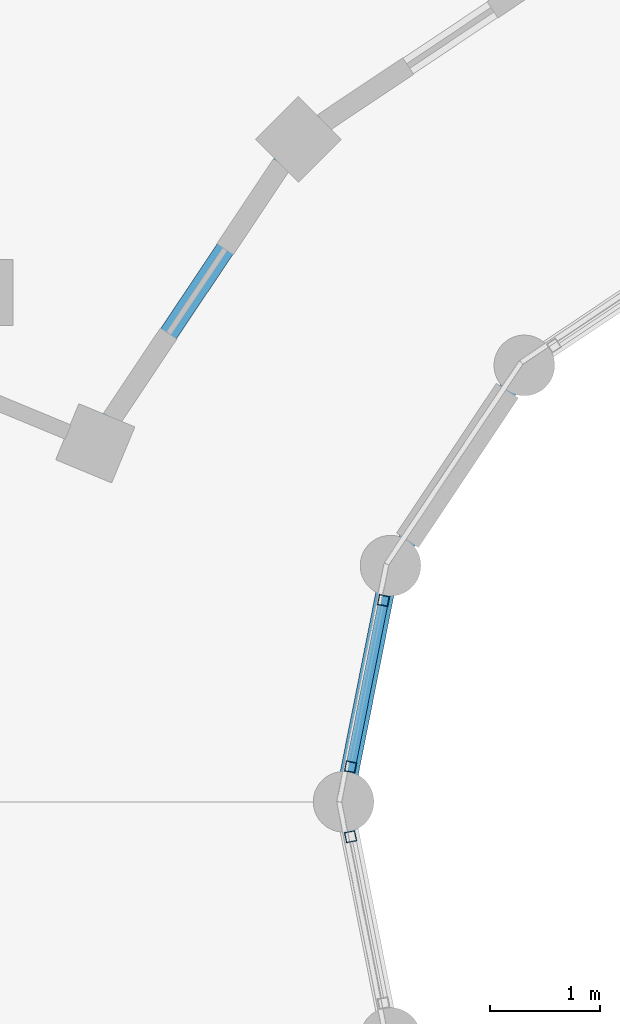
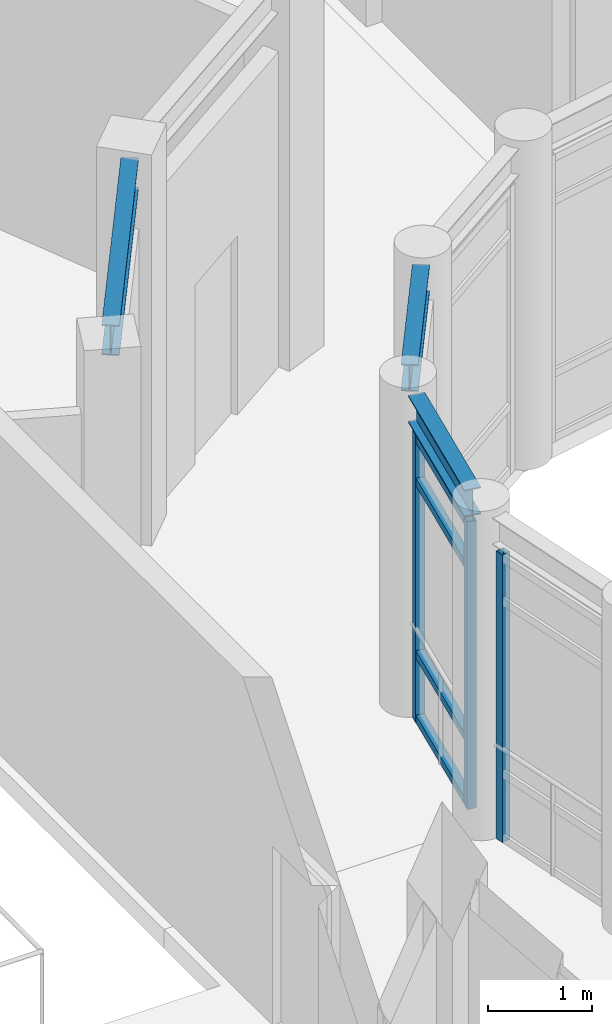
# One storey, part 13 of 149: 7 members, 3 beams, 2 elements without a shape of their own.
"""IFC4 building model written with IfcOpenShell, lengths in metres."""

import ifcopenshell
import ifcopenshell.guid

model = None  # the IFC model being written
_history = None  # IfcOwnerHistory: only IFC2X3 demands one
_inside = {}  # id of a spatial element -> (the spatial element, [elements in it])
_under = {}  # id of a project, library or spatial element -> (it, [spatial elements below it])
_declared = {}  # id of a project -> (the project, [libraries it declares])
_typed = {}  # id of a type object -> (the type object, [elements of that type])
_made_of = {}  # id of a material, layer set ... -> (it, [elements and type objects made of it])


def new_model(schema):
    """Start an empty IFC model of exactly this schema.

    Asked for "IFC4X3", IfcOpenShell would pick the latest addendum, in which some entities
    have other attributes; the version numbers below select the first issue.
    IFC2X3 requires an IfcOwnerHistory on every rooted entity: one is made here for all.
    """
    global model, _history
    if schema == "IFC4X3":
        model = ifcopenshell.file(schema_version=(4, 3, 0, 0))
    else:
        model = ifcopenshell.file(schema=schema)
    _inside.clear()
    _under.clear()
    _declared.clear()
    _typed.clear()
    _made_of.clear()
    _history = None
    if model.schema == "IFC2X3":
        org = make("IfcOrganization", Name="unknown")
        user = make(
            "IfcPersonAndOrganization",
            ThePerson=make("IfcPerson", FamilyName="unknown"),
            TheOrganization=org,
        )
        app = make(
            "IfcApplication",
            ApplicationDeveloper=org,
            Version="unknown",
            ApplicationFullName="unknown",
            ApplicationIdentifier="unknown",
        )
        _history = make(
            "IfcOwnerHistory",
            OwningUser=user,
            OwningApplication=app,
            ChangeAction="ADDED",
            CreationDate=0,
        )
    return model


def make(cls, **values):
    """One entity of the class cls with the attributes given. An attribute that is None is left unset."""
    return model.create_entity(
        cls, **{name: value for name, value in values.items() if value is not None}
    )


def rooted(cls, **values):
    """An entity with a GlobalId (a new one), such as an element, a storey or a relation."""
    return make(cls, GlobalId=ifcopenshell.guid.new(), OwnerHistory=_history, **values)


def si_unit(unit_type, name, prefix=None):
    """IfcSIUnit, for example si_unit("LENGTHUNIT", "METRE", prefix="MILLI")."""
    return make("IfcSIUnit", UnitType=unit_type, Prefix=prefix, Name=name)


def assignment(units):
    """IfcUnitAssignment: the units of a project."""
    return None if units is None else make("IfcUnitAssignment", Units=units)


def point(xyz):
    """IfcCartesianPoint."""
    return None if xyz is None else make("IfcCartesianPoint", Coordinates=xyz)


def direction(xyz):
    """IfcDirection."""
    return None if xyz is None else make("IfcDirection", DirectionRatios=xyz)


def frame(location, z_axis=None, x_axis=None):
    """IfcAxis2Placement3D, a coordinate frame: its origin and axes. An axis left out is left unset."""
    return make(
        "IfcAxis2Placement3D",
        Location=point(location),
        Axis=direction(z_axis),
        RefDirection=direction(x_axis),
    )


def frame_2d(location, x_axis=None):
    """IfcAxis2Placement2D, a coordinate frame in the plane: its origin and x axis."""
    return make(
        "IfcAxis2Placement2D", Location=point(location), RefDirection=direction(x_axis)
    )


def origin():
    """The frame at (0, 0, 0) with its axes left unset."""
    return frame((0.0, 0.0, 0.0))


def origin_2d():
    """The frame at (0, 0) in the plane with its x axis left unset."""
    return frame_2d((0.0, 0.0))


def place(relative_to, where):
    """IfcLocalPlacement: puts the frame where relative to a parent placement (None: the world)."""
    return make(
        "IfcLocalPlacement", PlacementRelTo=relative_to, RelativePlacement=where
    )


def context(
    kind, dimensions, precision=None, world=None, true_north=None, identifier=None
):
    """IfcGeometricRepresentationContext, for example the 3D "Model" context."""
    return make(
        "IfcGeometricRepresentationContext",
        ContextIdentifier=identifier,
        ContextType=kind,
        CoordinateSpaceDimension=dimensions,
        Precision=precision,
        WorldCoordinateSystem=world,
        TrueNorth=true_north,
    )


def subcontext(parent, identifier, kind, view, scale=None):
    """IfcGeometricRepresentationSubContext, for example "Body" below "Model"."""
    return make(
        "IfcGeometricRepresentationSubContext",
        ContextIdentifier=identifier,
        ContextType=kind,
        ParentContext=parent,
        TargetScale=scale,
        TargetView=view,
    )


def project(units=None, contexts=None):
    """IfcProject with its units and contexts."""
    return rooted(
        "IfcProject",
        Name="project",
        RepresentationContexts=contexts,
        UnitsInContext=assignment(units),
    )


def spatial(cls, under=None, at=None, **own):
    """A site, building, storey or space (cls), placed at a placement, below another one or the project."""
    s = rooted(cls, ObjectPlacement=at, **own)
    if under is not None:
        _under.setdefault(under.id(), (under, []))[1].append(s)
    return s


def profile(cls, at=None, kind="AREA", **sizes):
    """A parametric profile (cls). Its sizes go by their IFC names, for example OverallWidth=200.0."""
    return make(cls, ProfileType=kind, Position=at, **sizes)


def hollow_rectangle(**sizes):
    """IfcRectangleHollowProfileDef."""
    return profile("IfcRectangleHollowProfileDef", **sizes)


def i_section(**sizes):
    """IfcIShapeProfileDef."""
    return profile("IfcIShapeProfileDef", **sizes)


def extrude(swept, where, along, depth):
    """IfcExtrudedAreaSolid: the profile swept, set in the frame where, extruded along a direction by depth."""
    return make(
        "IfcExtrudedAreaSolid",
        SweptArea=swept,
        Position=where,
        ExtrudedDirection=direction(along),
        Depth=depth,
    )


def shape(context_of_items, identifier, shape_type, items):
    """IfcShapeRepresentation: the items that make up one representation, for example the "Body"."""
    return make(
        "IfcShapeRepresentation",
        ContextOfItems=context_of_items,
        RepresentationIdentifier=identifier,
        RepresentationType=shape_type,
        Items=items,
    )


def material(Name=None, Category=None):
    """IfcMaterial."""
    return make("IfcMaterial", Name=Name, Category=Category)


def material_profile(
    of_material, cross_section, Name=None, Category=None, Priority=None
):
    """IfcMaterialProfile: a cross section and its material."""
    return make(
        "IfcMaterialProfile",
        Name=Name,
        Material=of_material,
        Profile=cross_section,
        Priority=Priority,
        Category=Category,
    )


def profile_set(profiles, Name=None, composite=None):
    """IfcMaterialProfileSet."""
    return make(
        "IfcMaterialProfileSet",
        Name=Name,
        MaterialProfiles=profiles,
        CompositeProfile=composite,
    )


def made_of(thing, what):
    """Note that an element or type object is made of a material, layer set ...; save() writes the relation."""
    if what is not None:
        _made_of.setdefault(what.id(), (what, []))[1].append(thing)
    return thing


def type_object(cls, material=None, **own):
    """A type object (cls), such as IfcWallType, which elements share."""
    return made_of(rooted(cls, **own), material)


def element(
    cls,
    number,
    at=None,
    inside=None,
    cuts=None,
    type_object=None,
    material=None,
    context=None,
    identifier="Body",
    shape_type=None,
    held_by="IfcProductDefinitionShape",
    body=None,
    shapes=None,
    **own,
):
    """One element of the class cls, such as IfcWall. Its Tag is "e" and its number.

    at: its placement. inside: the storey or other place that contains it. cuts: it is an
    opening in that element (IfcRelVoidsElement). A single representation is given by context,
    identifier, shape_type and body (its items); several are given by shapes. held_by: the class
    of the entity that holds the representations. save() writes the other relations.
    """
    e = rooted(cls, Tag="e%d" % number, ObjectPlacement=at, **own)
    if body is not None:
        shapes = [shape(context, identifier, shape_type, body)]
    if shapes is not None:
        e.Representation = make(held_by, Representations=shapes)
    if inside is not None:
        _inside.setdefault(inside.id(), (inside, []))[1].append(e)
    if cuts is not None:
        rooted(
            "IfcRelVoidsElement", RelatingBuildingElement=cuts, RelatedOpeningElement=e
        )
    if type_object is not None:
        _typed.setdefault(type_object.id(), (type_object, []))[1].append(e)
    return made_of(e, material)


def aggregate(whole, parts):
    """IfcRelAggregates: a whole, such as a stair, and the parts it consists of."""
    return rooted("IfcRelAggregates", RelatingObject=whole, RelatedObjects=parts)


def save(model, path):
    """Write the relations noted so far, then the file.

    IfcRelAggregates (storeys below a building ...), IfcRelContainedInSpatialStructure (elements
    in a storey), IfcRelDefinesByType, IfcRelAssociatesMaterial and IfcRelDeclares: one each for
    every whole, place, type object, material and project.
    """
    for whole, parts in _under.values():
        aggregate(whole, parts)
    for where, things in _inside.values():
        rooted(
            "IfcRelContainedInSpatialStructure",
            RelatedElements=things,
            RelatingStructure=where,
        )
    for kind, things in _typed.values():
        rooted("IfcRelDefinesByType", RelatedObjects=things, RelatingType=kind)
    for what, things in _made_of.values():
        rooted("IfcRelAssociatesMaterial", RelatedObjects=things, RelatingMaterial=what)
    for by, libraries in _declared.values():
        rooted("IfcRelDeclares", RelatingContext=by, RelatedDefinitions=libraries)
    model.write(path)


model = new_model("IFC4")

# Units and contexts
model_context = context("Model", 3, precision=1e-05, world=origin(), true_north=direction((0.0, 1.0)))
body_context = subcontext(model_context, "Body", "Model", "MODEL_VIEW")
ifc_project = project(units=[si_unit("LENGTHUNIT", "METRE"), si_unit("AREAUNIT", "SQUARE_METRE"), si_unit("VOLUMEUNIT", "CUBIC_METRE"), si_unit("PLANEANGLEUNIT", "RADIAN"), si_unit("MASSUNIT", "GRAM", prefix="KILO")], contexts=[model_context])

# Site, building, storey
site_placement = place(None, origin())
site = spatial("IfcSite", under=ifc_project, at=site_placement, CompositionType="ELEMENT")
building_placement = place(site_placement, origin())
building = spatial("IfcBuilding", under=site, at=building_placement, Name="Celadon Cloister-Ring School", CompositionType="ELEMENT")
storey_placement = place(building_placement, frame((0.0, 0.0, 12.5)))
storey = spatial("IfcBuildingStorey", under=building, at=storey_placement, Name="L03", CompositionType="ELEMENT", Elevation=12.5)

# Curtain wall, members
ifc_material_1 = material(Name="Aluminium EN AW-6063 T6", Category="aluminium")
curtain_wall_type = type_object("IfcCurtainWallType", Name="CW-06", PredefinedType="USERDEFINED", material=ifc_material_1)
curtain_wall_1_placement = place(storey_placement, origin())
curtain_wall_1 = element("IfcCurtainWall", 1, at=curtain_wall_1_placement, inside=storey, type_object=curtain_wall_type, Name="Curtain Wall 0168", ObjectType="CURTAIN WALL", PredefinedType="USERDEFINED")
ifc_material_2 = material(Name="Aluminium EN AW-6063 T6", Category="aluminium")
ifc_material_profile_1 = material_profile(ifc_material_2, hollow_rectangle(XDim=0.094970703125, YDim=0.094970703125, WallThickness=0.00390625, at=origin_2d()), Name="RHS95X95X4")
ifc_profile_set_1 = profile_set([ifc_material_profile_1], Name="Aluminium EN AW-6063 T6")
member_type_1 = type_object("IfcMemberType", Name="CM-02", PredefinedType="MULLION", material=ifc_profile_set_1)
member_1_placement = place(storey_placement, frame((14.962646484375, 21.826416015625, 0.0), z_axis=(0.0, 0.0, 1.0), x_axis=(0.980885435464, -0.194586131301, 0.0)))
member_1 = element("IfcMember", 2, at=member_1_placement, type_object=member_type_1, Name="CW-06 mullion 1", PredefinedType="MULLION", context=body_context, shape_type="SweptSolid", body=[
    extrude(hollow_rectangle(XDim=0.094970703125, YDim=0.094970703125, WallThickness=0.00390625, at=origin_2d()), origin(), (0.0, 0.0, 1.0), 3.375),
])
member_2_placement = place(storey_placement, frame((14.663330078125, 20.316650390625, 0.0), z_axis=(0.0, 0.0, 1.0), x_axis=(0.980885435464, -0.194586131301, 0.0)))
member_2 = element("IfcMember", 3, at=member_2_placement, type_object=member_type_1, Name="CW-06 mullion 2", PredefinedType="MULLION", context=body_context, shape_type="SweptSolid", body=[
    extrude(hollow_rectangle(XDim=0.094970703125, YDim=0.094970703125, WallThickness=0.00390625, at=origin_2d()), origin(), (0.0, 0.0, 1.0), 3.375),
])

# Curtain wall, member
curtain_wall_2_placement = place(storey_placement, origin())
curtain_wall_2 = element("IfcCurtainWall", 4, at=curtain_wall_2_placement, inside=storey, type_object=curtain_wall_type, Name="Curtain Wall 0169", ObjectType="CURTAIN WALL", PredefinedType="USERDEFINED")
member_3_placement = place(storey_placement, frame((14.663330078125, 19.683349609375, 0.0), z_axis=(0.0, 0.0, 1.0), x_axis=(0.980885435464, 0.194586131301, 0.0)))
member_3 = element("IfcMember", 5, at=member_3_placement, type_object=member_type_1, Name="CW-06 mullion 1", PredefinedType="MULLION", context=body_context, shape_type="SweptSolid", body=[
    extrude(hollow_rectangle(XDim=0.094970703125, YDim=0.094970703125, WallThickness=0.00390625, at=origin_2d()), origin(), (0.0, 0.0, 1.0), 3.375),
])
aggregate(curtain_wall_2, [member_3])

# Member
ifc_material_3 = material(Name="Aluminium EN AW-6063 T6", Category="aluminium")
ifc_material_profile_2 = material_profile(ifc_material_3, hollow_rectangle(XDim=0.090087890625, YDim=0.090087890625, WallThickness=0.00390625, at=origin_2d()), Name="RHS90X90X4")
ifc_profile_set_2 = profile_set([ifc_material_profile_2], Name="Aluminium EN AW-6063 T6")
member_type_2 = type_object("IfcMemberType", Name="CTM-02", PredefinedType="USERDEFINED", material=ifc_profile_set_2)
member_4_placement = place(storey_placement, frame((14.95361328125, 21.77978515625, 0.044921875), z_axis=(-0.194587856315, -0.980885093257, 0.0), x_axis=(0.980885093257, -0.194587856315, 0.0)))
member_4 = element("IfcMember", 6, at=member_4_placement, type_object=member_type_2, Name="CW-06 transom 1.1", ObjectType="TRANSOM", PredefinedType="USERDEFINED", context=body_context, shape_type="SweptSolid", body=[
    extrude(hollow_rectangle(XDim=0.090087890625, YDim=0.090087890625, WallThickness=0.00390625, at=origin_2d()), origin(), (0.0, 0.0, 1.0), 1.444091796875),
])

member_5_placement = place(storey_placement, frame((14.95361328125, 21.77978515625, 0.800048828125), z_axis=(-0.194587856315, -0.980885093257, 0.0), x_axis=(0.980885093257, -0.194587856315, 0.0)))
member_5 = element("IfcMember", 7, at=member_5_placement, type_object=member_type_2, Name="CW-06 transom 1.2", ObjectType="TRANSOM", PredefinedType="USERDEFINED", context=body_context, shape_type="SweptSolid", body=[
    extrude(hollow_rectangle(XDim=0.090087890625, YDim=0.090087890625, WallThickness=0.00390625, at=origin_2d()), origin(), (0.0, 0.0, 1.0), 1.444091796875),
])

member_6_placement = place(storey_placement, frame((14.95361328125, 21.77978515625, 2.824951171875), z_axis=(-0.194587856315, -0.980885093257, 0.0), x_axis=(0.980885093257, -0.194587856315, 0.0)))
member_6 = element("IfcMember", 8, at=member_6_placement, type_object=member_type_2, Name="CW-06 transom 1.3", ObjectType="TRANSOM", PredefinedType="USERDEFINED", context=body_context, shape_type="SweptSolid", body=[
    extrude(hollow_rectangle(XDim=0.090087890625, YDim=0.090087890625, WallThickness=0.00390625, at=origin_2d()), origin(), (0.0, 0.0, 1.0), 1.444091796875),
])

member_7_placement = place(storey_placement, frame((14.95361328125, 21.77978515625, 3.330078125), z_axis=(-0.194587856315, -0.980885093257, 0.0), x_axis=(0.980885093257, -0.194587856315, 0.0)))
member_7 = element("IfcMember", 9, at=member_7_placement, type_object=member_type_2, Name="CW-06 transom 1.4", ObjectType="TRANSOM", PredefinedType="USERDEFINED", context=body_context, shape_type="SweptSolid", body=[
    extrude(hollow_rectangle(XDim=0.090087890625, YDim=0.090087890625, WallThickness=0.00390625, at=origin_2d()), origin(), (0.0, 0.0, 1.0), 1.444091796875),
])

aggregate(curtain_wall_1, [member_1, member_2, member_4, member_5, member_6, member_7])

# Beams
ifc_material_4 = material(Name="Structural steel S355JR", Category="steel")
ifc_material_profile_3 = material_profile(ifc_material_4, i_section(OverallWidth=0.1708984375, OverallDepth=0.35498046875, WebThickness=0.007080078125, FlangeThickness=0.01171875, at=origin_2d()), Name="W360X51")
ifc_profile_set_3 = profile_set([ifc_material_profile_3], Name="Structural steel S355JR")
beam_type_1 = type_object("IfcBeamType", Name="GT-08", PredefinedType="USERDEFINED", material=ifc_profile_set_3)
beam_1_placement = place(storey_placement, frame((14.051025390625, 25.802001953125, 4.322998046875), z_axis=(-0.555740149771, -0.831356052442, 0.0), x_axis=(0.831356052442, -0.555740149771, 0.0)))
element("IfcBeam", 10, at=beam_1_placement, inside=storey, type_object=beam_type_1, Name="Beam 1088", ObjectType="GIRDER", PredefinedType="USERDEFINED", context=body_context, shape_type="SweptSolid", body=[
    extrude(i_section(OverallWidth=0.1708984375, OverallDepth=0.35498046875, WebThickness=0.007080078125, FlangeThickness=0.01171875, at=origin_2d()), origin(), (0.0, 0.0, 1.0), 2.81591796875),
])
ifc_material_5 = material(Name="Structural steel S355JR", Category="steel")
ifc_material_profile_4 = material_profile(ifc_material_5, i_section(OverallWidth=0.1669921875, OverallDepth=0.31689453125, WebThickness=0.007568359375, FlangeThickness=0.01318359375, at=origin_2d()), Name="W310X52")
ifc_profile_set_4 = profile_set([ifc_material_profile_4], Name="Structural steel S355JR")
beam_type_2 = type_object("IfcBeamType", Name="SP-05", PredefinedType="SPANDREL", material=ifc_profile_set_4)
beam_2_placement = place(storey_placement, frame((16.10107421875, 23.751953125, 3.615966796875), z_axis=(-0.555569328961, -0.831470216374, 0.0), x_axis=(0.831470216374, -0.555569328961, 0.0)))
element("IfcBeam", 11, at=beam_2_placement, inside=storey, type_object=beam_type_2, Name="Beam 1089", PredefinedType="SPANDREL", context=body_context, shape_type="SweptSolid", body=[
    extrude(i_section(OverallWidth=0.1669921875, OverallDepth=0.31689453125, WebThickness=0.007568359375, FlangeThickness=0.01318359375, at=origin_2d()), origin(), (0.0, 0.0, 1.0), 1.684814453125),
])
beam_3_placement = place(storey_placement, frame((14.97705078125, 21.89794921875, 3.615966796875), z_axis=(-0.194722830887, -0.980858307367, 0.0), x_axis=(0.980858307367, -0.194722830887, 0.0)))
element("IfcBeam", 12, at=beam_3_placement, inside=storey, type_object=beam_type_2, Name="Beam 1091", PredefinedType="SPANDREL", context=body_context, shape_type="SweptSolid", body=[
    extrude(i_section(OverallWidth=0.1669921875, OverallDepth=0.31689453125, WebThickness=0.007568359375, FlangeThickness=0.01318359375, at=origin_2d()), origin(), (0.0, 0.0, 1.0), 1.68505859375),
])

save(model, "model.ifc")
